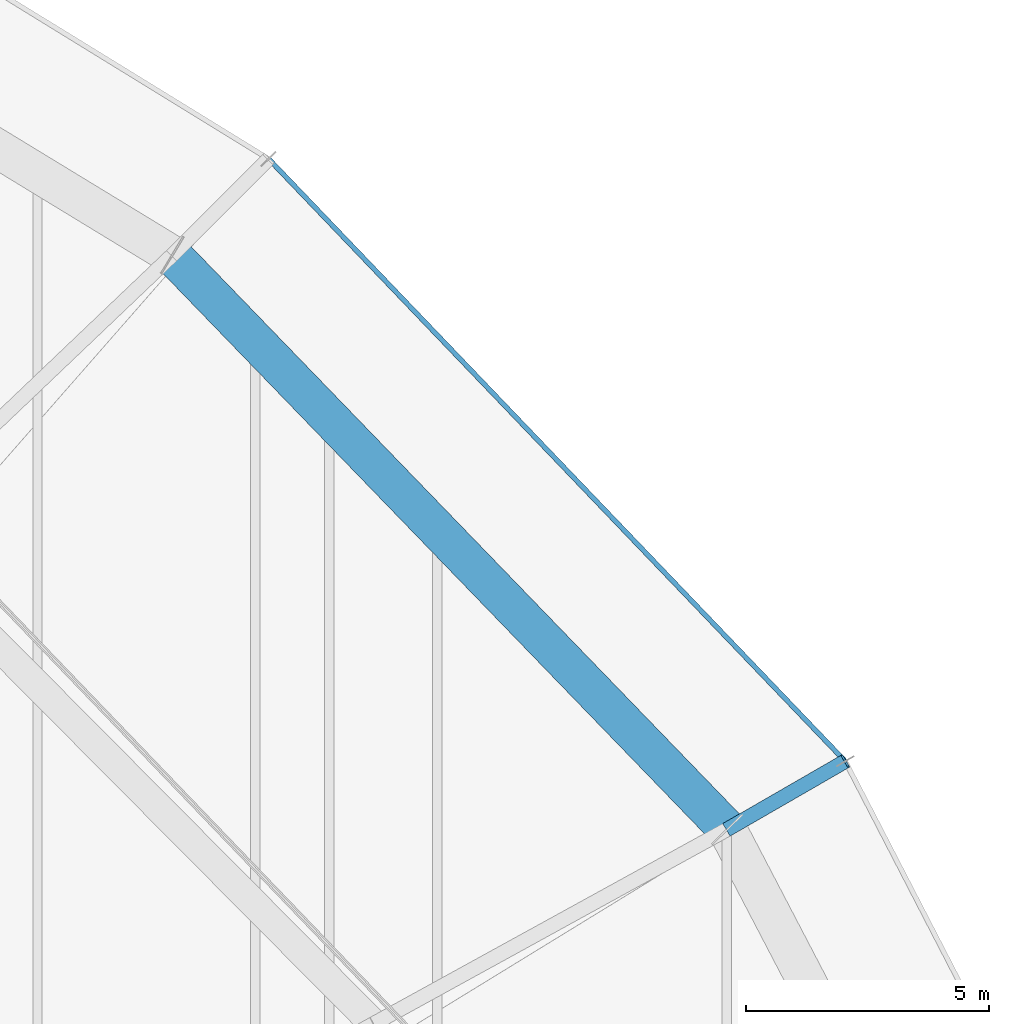
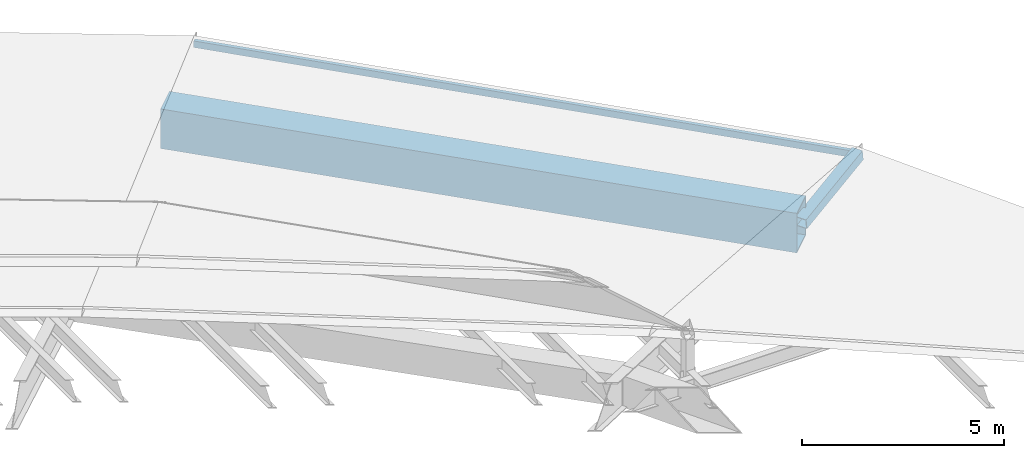
# One storey, part 134 of 184: 2 members, 1 beam.
"""IFC4 building model written with IfcOpenShell, lengths in metres."""

from ifc_helpers import new_model, si_unit, direction, frame, origin, origin_2d, place, context, subcontext, project, spatial, hollow_rectangle, extrude, material, material_profile, profile_set, type_object, element, save


model = new_model("IFC4")

# Units and contexts
model_context = context("Model", 3, precision=1e-05, world=origin(), true_north=direction((0.0, 1.0)))
body_context = subcontext(model_context, "Body", "Model", "MODEL_VIEW")
ifc_project = project(units=[si_unit("LENGTHUNIT", "METRE"), si_unit("AREAUNIT", "SQUARE_METRE"), si_unit("VOLUMEUNIT", "CUBIC_METRE"), si_unit("PLANEANGLEUNIT", "RADIAN"), si_unit("MASSUNIT", "GRAM", prefix="KILO")], contexts=[model_context])

# Site, building, storey
site_placement = place(None, origin())
site = spatial("IfcSite", under=ifc_project, at=site_placement, CompositionType="ELEMENT")
building_placement = place(site_placement, origin())
building = spatial("IfcBuilding", under=site, at=building_placement, Name="Kalgoora Escarpment Arena", CompositionType="ELEMENT")
storey_placement = place(building_placement, frame((0.0, 0.0, 27.60009765625)))
storey = spatial("IfcBuildingStorey", under=building, at=storey_placement, Name="Roof Level", CompositionType="ELEMENT", Elevation=27.60009765625)

# Beam
ifc_material_1 = material(Name="Structural steel Grade 350 (350 MPa)", Category="steel")
ifc_material_profile_1 = material_profile(ifc_material_1, hollow_rectangle(XDim=0.800048828125, YDim=1.199951171875, WallThickness=0.031982421875, at=origin_2d()))
ifc_profile_set_1 = profile_set([ifc_material_profile_1], Name="Structural steel Grade 350 (350 MPa)")
beam_type = type_object("IfcBeamType", Name="BM-RING-BOX1200", PredefinedType="USERDEFINED", material=ifc_profile_set_1)
beam_placement = place(storey_placement, frame((154.58056640625, 92.5, -1.4501953125), z_axis=(-0.694974435465, 0.719034445663, 0.0), x_axis=(-0.719034445663, -0.694974435465, 0.0)))
element("IfcBeam", 1, at=beam_placement, inside=storey, type_object=beam_type, Name="Outer perimeter compression RING BEAM chord 03", ObjectType="GIRDER", PredefinedType="USERDEFINED", context=body_context, shape_type="SweptSolid", body=[
    extrude(hollow_rectangle(XDim=0.800048828125, YDim=1.199951171875, WallThickness=0.031982421875, at=origin_2d()), origin(), (0.0, 0.0, 1.0), 16.418212890625),
])

# Members
ifc_material_2 = material(Name="Structural steel C350 (350 MPa)", Category="steel")
ifc_material_profile_2 = material_profile(ifc_material_2, hollow_rectangle(XDim=0.10009765625, YDim=0.199951171875, WallThickness=0.009033203125, at=origin_2d()))
ifc_profile_set_2 = profile_set([ifc_material_profile_2], Name="Structural steel C350 (350 MPa)")
member_type_1 = type_object("IfcMemberType", Name="MEM-PURLIN-RHS", PredefinedType="PURLIN", material=ifc_profile_set_2)
member_1_placement = place(storey_placement, frame((157.005615234375, 93.89990234375, -1.02001953125), z_axis=(-0.691494829902, 0.722381409104, 0.0), x_axis=(-0.722381409104, -0.691494829902, 0.0)))
element("IfcMember", 2, at=member_1_placement, inside=storey, type_object=member_type_1, Name="Petal RP1 eave support ring purlin S03", PredefinedType="PURLIN", context=body_context, shape_type="SweptSolid", body=[
    extrude(hollow_rectangle(XDim=0.10009765625, YDim=0.199951171875, WallThickness=0.009033203125, at=origin_2d()), origin(), (0.0, 0.0, 1.0), 17.144775390625),
])
ifc_material_3 = material(Name="Structural steel C450 (450 MPa)", Category="steel")
ifc_material_profile_3 = material_profile(ifc_material_3, hollow_rectangle(XDim=0.300048828125, YDim=0.300048828125, WallThickness=0.012451171875, at=origin_2d()))
ifc_profile_set_3 = profile_set([ifc_material_profile_3], Name="Structural steel C450 (450 MPa)")
member_type_2 = type_object("IfcMemberType", Name="MEM-TRUSS-POST", PredefinedType="POST", material=ifc_profile_set_3)
member_2_placement = place(storey_placement, frame((154.58056640625, 92.5, -1.400146484375), z_axis=(0.857346427406, 0.494918394719, 0.141466907734), x_axis=(-0.49994636267, 0.866056369097, 0.0)))
element("IfcMember", 3, at=member_2_placement, inside=storey, type_object=member_type_2, Name="Petal RP1 eave strut S03", PredefinedType="POST", context=body_context, shape_type="SweptSolid", body=[
    extrude(hollow_rectangle(XDim=0.300048828125, YDim=0.300048828125, WallThickness=0.012451171875, at=origin_2d()), origin(), (0.0, 0.0, 1.0), 2.82861328125),
])

save(model, "model.ifc")
